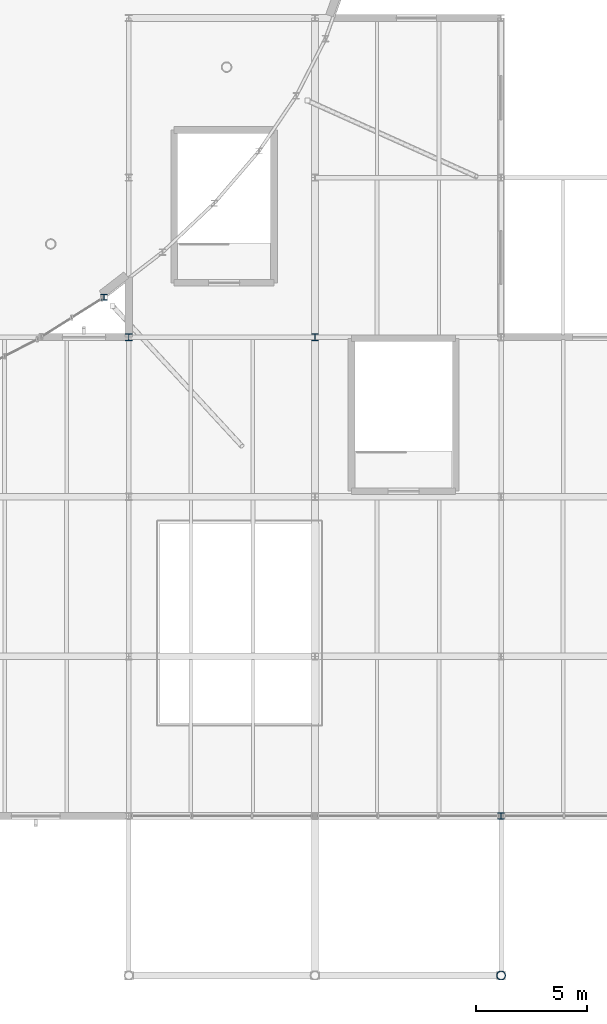
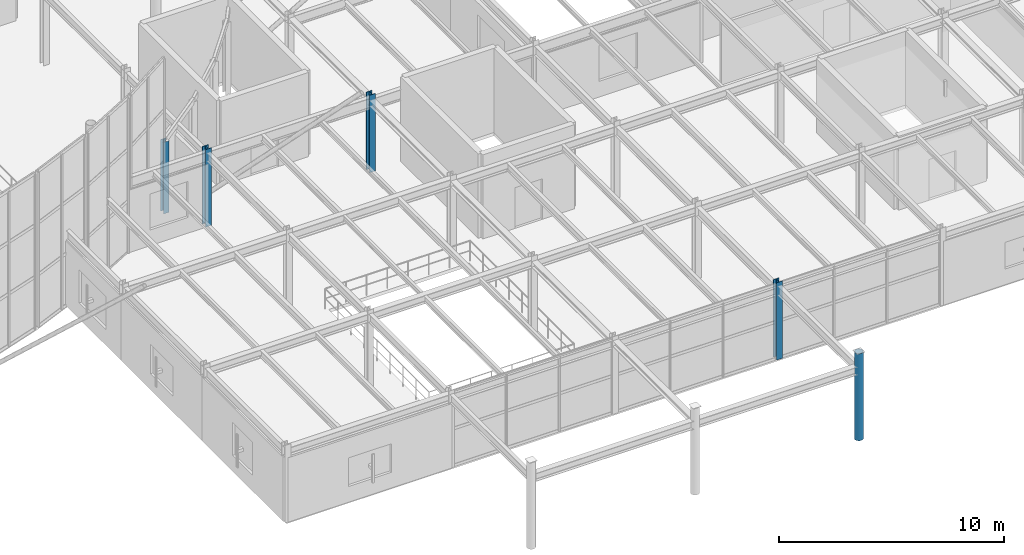
# One storey, part 4 of 109: 5 columns.
"""IFC4 building model written with IfcOpenShell, lengths in metres."""

from ifc_helpers import new_model, si_unit, derived_unit, direction, frame, origin, origin_2d, place, context, subcontext, project, spatial, hollow_circle, i_section, extrude, material, material_profile, profile_set, type_object, element, save


model = new_model("IFC4")

# Units and contexts
model_context = context("Model", 3, precision=1e-05, world=origin(), true_north=direction((0.0, 1.0)))
body_context = subcontext(model_context, "Body", "Model", "MODEL_VIEW")
ifc_project = project(units=[si_unit("LENGTHUNIT", "METRE"), si_unit("AREAUNIT", "SQUARE_METRE"), si_unit("VOLUMEUNIT", "CUBIC_METRE"), si_unit("PLANEANGLEUNIT", "RADIAN"), si_unit("MASSUNIT", "GRAM", prefix="KILO"), derived_unit("THERMALTRANSMITTANCEUNIT", [(si_unit("MASSUNIT", "GRAM", prefix="KILO"), 1), (si_unit("TIMEUNIT", "SECOND"), -3), (si_unit("THERMODYNAMICTEMPERATUREUNIT", "KELVIN"), -1)])], contexts=[model_context])

# Site, building, storey
site_placement = place(None, origin())
site = spatial("IfcSite", under=ifc_project, at=site_placement, CompositionType="ELEMENT")
building_placement = place(site_placement, origin())
building = spatial("IfcBuilding", under=site, at=building_placement, Name="Kharveza Railside Sports Centre", CompositionType="ELEMENT")
storey_placement = place(building_placement, frame((0.0, 0.0, 4.5)))
storey = spatial("IfcBuildingStorey", under=building, at=storey_placement, Name="L01", CompositionType="ELEMENT", Elevation=4.5)

# Columns
ifc_material = material(Name="Steel S355J2", Category="steel")
ifc_material_profile_1 = material_profile(ifc_material, i_section(OverallWidth=0.300048828125, OverallDepth=0.300048828125, WebThickness=0.010986328125, FlangeThickness=0.01904296875, FilletRadius=0.027099609375, at=origin_2d()), Name="HEB 300")
ifc_profile_set_1 = profile_set([ifc_material_profile_1], Name="Steel S355J2")
column_type_1 = type_object("IfcColumnType", Name="COL-S07", PredefinedType="COLUMN", material=ifc_profile_set_1)
for number, where, z_axis, x_axis, name in (
    (1, (84.0, 28.800048828125, 0.0), (0.0, 0.0, 1.0), (1.0, 0.0, 0.0), "COL-G-C07-X840-Y288-L01"),
    (2, (92.39990234375, 28.800048828125, 0.0), (0.0, 0.0, 1.0), (1.0, 0.0, 0.0), "COL-G-C07-X924-Y288-L01"),
    (3, (100.800048828125, 7.199951171875, 0.0), (0.0, 0.0, 1.0), (1.0, 0.0, 0.0), "COL-G-C07-X1008-Y72-L01"),
):
    element("IfcColumn", number, at=place(storey_placement, frame(where, z_axis=z_axis, x_axis=x_axis)), inside=storey, type_object=column_type_1, Name=name, PredefinedType="COLUMN", context=body_context, shape_type="SweptSolid", body=[
        extrude(i_section(OverallWidth=0.300048828125, OverallDepth=0.300048828125, WebThickness=0.010986328125, FlangeThickness=0.01904296875, FilletRadius=0.027099609375, at=origin_2d()), origin(), (0.0, 0.0, 1.0), 4.199951171875),
    ])
ifc_material_profile_2 = material_profile(ifc_material, i_section(OverallWidth=0.280029296875, OverallDepth=0.27001953125, WebThickness=0.008056640625, FlangeThickness=0.012939453125, FilletRadius=0.02392578125, at=origin_2d()), Name="HEA 280")
ifc_profile_set_2 = profile_set([ifc_material_profile_2], Name="Steel S355J2")
column_type_2 = type_object("IfcColumnType", Name="COL-S13", PredefinedType="COLUMN", material=ifc_profile_set_2)
column_1_placement = place(storey_placement, frame((82.88427734375, 30.60107421875, 0.0), z_axis=(0.0, 0.0, 1.0), x_axis=(1.0, 0.0, 0.0)))
element("IfcColumn", 4, at=column_1_placement, inside=storey, type_object=column_type_2, Name="COL-DSILL-L01-82p88-30p6", PredefinedType="COLUMN", context=body_context, shape_type="SweptSolid", body=[
    extrude(i_section(OverallWidth=0.280029296875, OverallDepth=0.27001953125, WebThickness=0.008056640625, FlangeThickness=0.012939453125, FilletRadius=0.02392578125, at=origin_2d()), origin(), (0.0, 0.0, 1.0), 3.8798828125),
])
ifc_material_profile_3 = material_profile(ifc_material, hollow_circle(Radius=0.203125, WallThickness=0.02001953125, at=origin_2d()), Name="CHS 406.4x20.0")
ifc_profile_set_3 = profile_set([ifc_material_profile_3], Name="Steel S355J2")
column_type_3 = type_object("IfcColumnType", Name="COL-T02", PredefinedType="COLUMN", material=ifc_profile_set_3)
column_2_placement = place(storey_placement, frame((100.800048828125, 0.0, 0.0), z_axis=(0.0, 0.0, 1.0), x_axis=(1.0, 0.0, 0.0)))
element("IfcColumn", 5, at=column_2_placement, inside=storey, type_object=column_type_3, Name="COL-G-C16-X1008-Y0-L01", PredefinedType="COLUMN", context=body_context, shape_type="SweptSolid", body=[
    extrude(hollow_circle(Radius=0.203125, WallThickness=0.02001953125, at=origin_2d()), origin(), (0.0, 0.0, 1.0), 4.715087890625),
])

save(model, "model.ifc")
